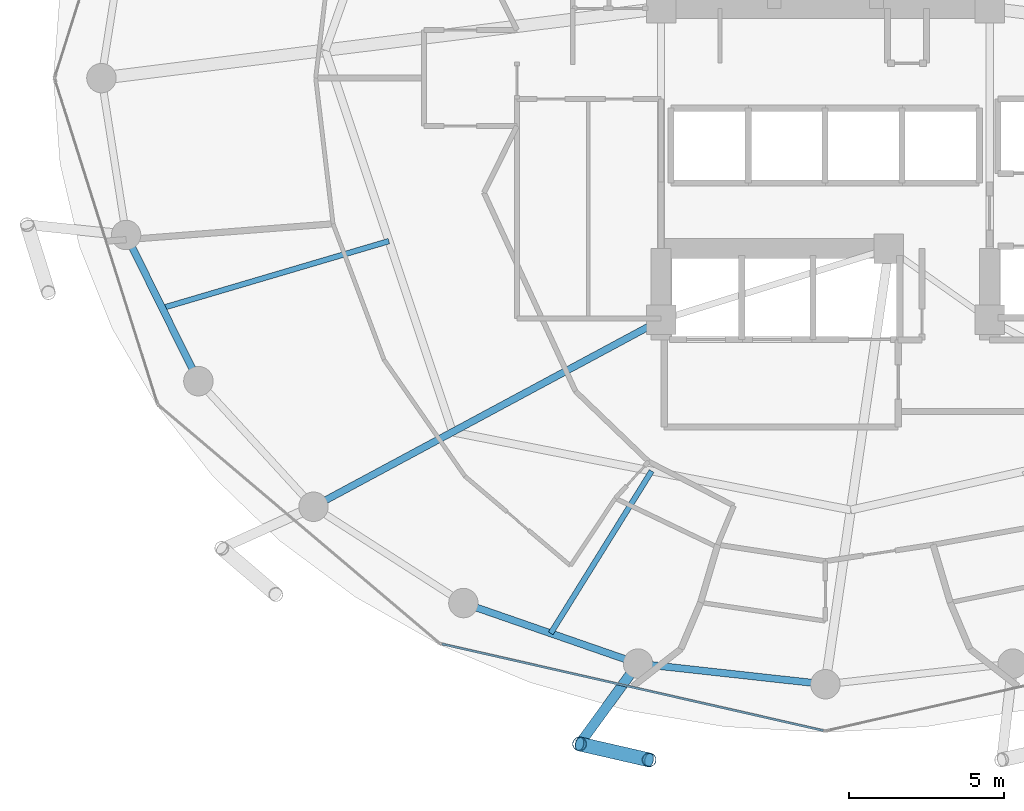
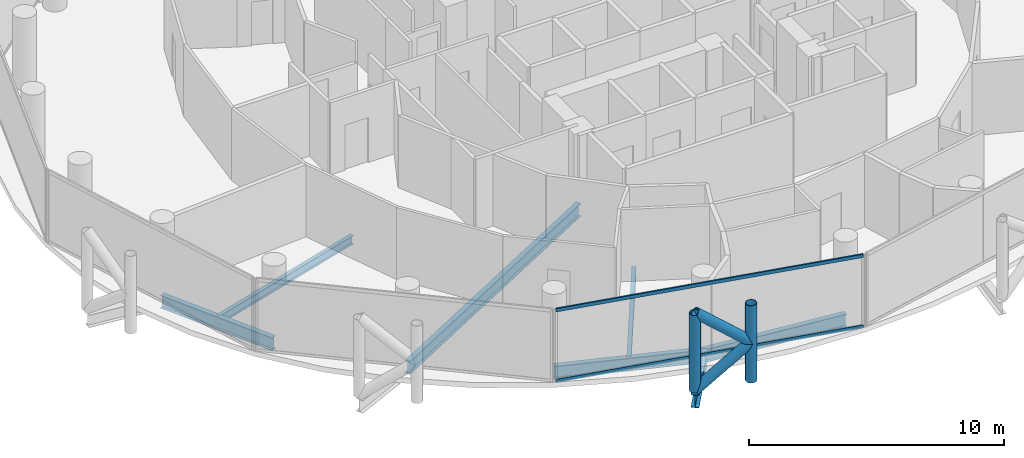
# One storey, part 3 of 26: 7 beams, 6 members, 1 element without a shape of its own.
"""IFC4 building model written with IfcOpenShell, lengths in metres."""

from ifc_helpers import new_model, si_unit, direction, frame, origin, origin_2d, place, context, subcontext, project, spatial, hollow_rectangle, hollow_circle, i_section, extrude, material, layer, layer_set, material_profile, profile_set, type_object, element, aggregate, save


model = new_model("IFC4")

# Units and contexts
model_context = context("Model", 3, precision=1e-05, world=origin(), true_north=direction((0.0, 1.0)))
body_context = subcontext(model_context, "Body", "Model", "MODEL_VIEW")
ifc_project = project(units=[si_unit("LENGTHUNIT", "METRE"), si_unit("AREAUNIT", "SQUARE_METRE"), si_unit("VOLUMEUNIT", "CUBIC_METRE"), si_unit("PLANEANGLEUNIT", "RADIAN"), si_unit("MASSUNIT", "GRAM", prefix="KILO")], contexts=[model_context])

# Site, building, storey
site_placement = place(None, origin())
site = spatial("IfcSite", under=ifc_project, at=site_placement, CompositionType="ELEMENT")
building_placement = place(site_placement, origin())
building = spatial("IfcBuilding", under=site, at=building_placement, Name="Nuhasar Tower", CompositionType="ELEMENT")
storey_placement = place(building_placement, frame((0.0, 0.0, 147.85009765625)))
storey = spatial("IfcBuildingStorey", under=building, at=storey_placement, Name="L35", CompositionType="ELEMENT", Elevation=147.85009765625)

# Beams
ifc_material_1 = material(Name="Steel S355", Category="steel")
ifc_material_profile_1 = material_profile(ifc_material_1, i_section(OverallWidth=0.177978515625, OverallDepth=0.406005859375, WebThickness=0.0078125, FlangeThickness=0.0126953125, at=origin_2d()), Name="W16X40")
ifc_profile_set_1 = profile_set([ifc_material_profile_1], Name="Steel S355")
beam_type_1 = type_object("IfcBeamType", Name="BM-JST-W16X40", PredefinedType="JOIST", material=ifc_profile_set_1)
beam_1_placement = place(storey_placement, frame((33.39697265625, 14.1279296875, -0.453125), z_axis=(-0.528139463011, -0.849157645912, 0.0), x_axis=(0.849157645912, -0.528139463011, 0.0)))
element("IfcBeam", 1, at=beam_1_placement, inside=storey, type_object=beam_type_1, Name="L35 Secondary Floor Joist 01", PredefinedType="JOIST", context=body_context, shape_type="SweptSolid", body=[
    extrude(i_section(OverallWidth=0.177978515625, OverallDepth=0.406005859375, WebThickness=0.0078125, FlangeThickness=0.0126953125, at=origin_2d()), origin(), (0.0, 0.0, 1.0), 6.164794921875),
])
beam_2_placement = place(storey_placement, frame((24.922119140625, 21.54296875, -0.453125), z_axis=(-0.959013356257, -0.283360869775, 0.0), x_axis=(0.283360869775, -0.959013356257, 0.0)))
element("IfcBeam", 2, at=beam_2_placement, inside=storey, type_object=beam_type_1, Name="L35 Secondary Floor Joist 08", PredefinedType="JOIST", context=body_context, shape_type="SweptSolid", body=[
    extrude(i_section(OverallWidth=0.177978515625, OverallDepth=0.406005859375, WebThickness=0.0078125, FlangeThickness=0.0126953125, at=origin_2d()), origin(), (0.0, 0.0, 1.0), 7.62255859375),
])
ifc_material_profile_2 = material_profile(ifc_material_1, i_section(OverallWidth=0.22900390625, OverallDepth=0.612060546875, WebThickness=0.011962890625, FlangeThickness=0.01953125, at=origin_2d()), Name="W24X84")
ifc_profile_set_2 = profile_set([ifc_material_profile_2], Name="Steel S355")
beam_type_2 = type_object("IfcBeamType", Name="BM-RAD-W24X84", PredefinedType="BEAM", material=ifc_profile_set_2)
beam_3_placement = place(storey_placement, frame((33.699951171875, 19.0, -0.55615234375), z_axis=(-0.880888386928, -0.473324043098, 0.0), x_axis=(0.473324043098, -0.880888386928, 0.0)))
element("IfcBeam", 3, at=beam_3_placement, inside=storey, type_object=beam_type_2, Name="L35 Radial Floor Girder 01", PredefinedType="BEAM", context=body_context, shape_type="SweptSolid", body=[
    extrude(i_section(OverallWidth=0.22900390625, OverallDepth=0.612060546875, WebThickness=0.011962890625, FlangeThickness=0.01953125, at=origin_2d()), origin(), (0.0, 0.0, 1.0), 12.726806640625),
])
ifc_material_profile_3 = material_profile(ifc_material_1, i_section(OverallWidth=0.22998046875, OverallDepth=0.616943359375, WebThickness=0.01318359375, FlangeThickness=0.022216796875, at=origin_2d()), Name="W24X94")
ifc_profile_set_3 = profile_set([ifc_material_profile_3], Name="Steel S355")
beam_type_3 = type_object("IfcBeamType", Name="BM-RING-W24X94", PredefinedType="SPANDREL", material=ifc_profile_set_3)
beam_4_placement = place(storey_placement, frame((16.446044921875, 21.739990234375, -0.55908203125), z_axis=(0.443329327657, -0.896358804966, 0.0), x_axis=(0.896358804966, 0.443329327657, 0.0)))
element("IfcBeam", 4, at=beam_4_placement, inside=storey, type_object=beam_type_3, Name="L35 Perimeter Ring Spandrel 14", PredefinedType="SPANDREL", context=body_context, shape_type="SweptSolid", body=[
    extrude(i_section(OverallWidth=0.22998046875, OverallDepth=0.616943359375, WebThickness=0.01318359375, FlangeThickness=0.022216796875, at=origin_2d()), origin(), (0.0, 0.0, 1.0), 5.26025390625),
])
beam_5_placement = place(storey_placement, frame((27.324951171875, 9.868896484375, -0.55908203125), z_axis=(0.944814057608, -0.327607076458, 0.0), x_axis=(0.327607076458, 0.944814057608, 0.0)))
element("IfcBeam", 5, at=beam_5_placement, inside=storey, type_object=beam_type_3, Name="L35 Perimeter Ring Spandrel 17", PredefinedType="SPANDREL", context=body_context, shape_type="SweptSolid", body=[
    extrude(i_section(OverallWidth=0.22998046875, OverallDepth=0.616943359375, WebThickness=0.01318359375, FlangeThickness=0.022216796875, at=origin_2d()), origin(), (0.0, 0.0, 1.0), 5.9609375),
])
beam_6_placement = place(storey_placement, frame((32.95703125, 7.916015625, -0.55908203125), z_axis=(0.993981289157, -0.109549974015, 0.0), x_axis=(0.109549974015, 0.993981289157, 0.0)))
element("IfcBeam", 6, at=beam_6_placement, inside=storey, type_object=beam_type_3, Name="L35 Perimeter Ring Spandrel 18", PredefinedType="SPANDREL", context=body_context, shape_type="SweptSolid", body=[
    extrude(i_section(OverallWidth=0.22998046875, OverallDepth=0.616943359375, WebThickness=0.01318359375, FlangeThickness=0.022216796875, at=origin_2d()), origin(), (0.0, 0.0, 1.0), 6.07958984375),
])
ifc_material_profile_4 = material_profile(ifc_material_1, i_section(OverallWidth=0.323974609375, OverallDepth=0.611083984375, WebThickness=0.0126953125, FlangeThickness=0.01904296875, at=origin_2d()), Name="W24X104")
ifc_profile_set_4 = profile_set([ifc_material_profile_4], Name="Steel S355")
beam_type_4 = type_object("IfcBeamType", Name="BM-TIE-W24X104", PredefinedType="BEAM", material=ifc_profile_set_4)
beam_7_placement = place(storey_placement, frame((32.95703125, 7.916015625, -0.55615234375), z_axis=(-0.588149050751, -0.808752554309, 0.0), x_axis=(0.808752554309, -0.588149050751, 0.0)))
element("IfcBeam", 7, at=beam_7_placement, inside=storey, type_object=beam_type_4, Name="L35 Exoskeleton Node Tie Beam 09", PredefinedType="BEAM", context=body_context, shape_type="SweptSolid", body=[
    extrude(i_section(OverallWidth=0.323974609375, OverallDepth=0.611083984375, WebThickness=0.0126953125, FlangeThickness=0.01904296875, at=origin_2d()), origin(), (0.0, 0.0, 1.0), 3.205078125),
])

# Curtain wall, members
ifc_material_2 = material(Name="Aluminium 6063-T6", Category="aluminium")
ifc_layer = layer(ifc_material_2, 0.199951171875)
ifc_layer_set = layer_set([ifc_layer], Name="Aluminium 6063-T6")
curtain_wall_type = type_object("IfcCurtainWallType", Name="CW-Z2-HTL", PredefinedType="NOTDEFINED", material=ifc_layer_set)
curtain_wall_placement = place(storey_placement, origin())
curtain_wall = element("IfcCurtainWall", 8, at=curtain_wall_placement, inside=storey, type_object=curtain_wall_type, Name="L35 Unitised Curtain Wall 09", PredefinedType="NOTDEFINED")
ifc_material_profile_5 = material_profile(ifc_material_2, hollow_rectangle(XDim=0.070068359375, YDim=0.159912109375, WallThickness=0.00439453125, at=origin_2d()), Name="CWT-3")
ifc_profile_set_5 = profile_set([ifc_material_profile_5], Name="Aluminium 6063-T6")
member_type_1 = type_object("IfcMemberType", Name="CW-TRN-S3", PredefinedType="USERDEFINED", material=ifc_profile_set_5)
member_1_placement = place(storey_placement, frame((26.63818359375, 8.54638671875, 0.034912109375), z_axis=(0.975187615691, -0.221380022142, 0.0), x_axis=(0.221380022142, 0.975187615691, 0.0)))
member_1 = element("IfcMember", 9, at=member_1_placement, type_object=member_type_1, Name="CW-Z2 transom 1.1", ObjectType="TRANSOM", PredefinedType="USERDEFINED", context=body_context, shape_type="SweptSolid", body=[
    extrude(hollow_rectangle(XDim=0.070068359375, YDim=0.159912109375, WallThickness=0.00439453125, at=origin_2d()), origin(), (0.0, 0.0, 1.0), 12.606201171875),
])
member_2_placement = place(storey_placement, frame((26.63818359375, 8.54638671875, 3.414794921875), z_axis=(0.975187615691, -0.221380022142, 0.0), x_axis=(0.221380022142, 0.975187615691, 0.0)))
member_2 = element("IfcMember", 10, at=member_2_placement, type_object=member_type_1, Name="CW-Z2 transom 1.2", ObjectType="TRANSOM", PredefinedType="USERDEFINED", context=body_context, shape_type="SweptSolid", body=[
    extrude(hollow_rectangle(XDim=0.070068359375, YDim=0.159912109375, WallThickness=0.00439453125, at=origin_2d()), origin(), (0.0, 0.0, 1.0), 12.606201171875),
])
aggregate(curtain_wall, [member_1, member_2])

# Members
ifc_material_3 = material(Name="Steel S460", Category="steel")
ifc_material_profile_6 = material_profile(ifc_material_3, hollow_circle(Radius=0.228515625, WallThickness=0.022216796875, at=origin_2d()), Name="HSS457X22.2")
ifc_profile_set_6 = profile_set([ifc_material_profile_6], Name="Steel S460")
member_type_2 = type_object("IfcMemberType", Name="EXO-BRONZE-457", PredefinedType="BRACE", material=ifc_profile_set_6)
for number, where, z_axis, x_axis, name in (
    (11, (31.072021484375, 5.323974609375, 0.0), (0.0, 0.0, 1.0), (1.0, 0.0, 0.0), "L35 Exoskeleton Chord Column EC-09A"),
    (12, (33.31396484375, 4.81005859375, 0.0), (0.0, 0.0, 1.0), (1.0, 0.0, 0.0), "L35 Exoskeleton Chord Column EC-09B"),
):
    element("IfcMember", number, at=place(storey_placement, frame(where, z_axis=z_axis, x_axis=x_axis)), inside=storey, type_object=member_type_2, Name=name, PredefinedType="BRACE", context=body_context, shape_type="SweptSolid", body=[
        extrude(hollow_circle(Radius=0.228515625, WallThickness=0.022216796875, at=origin_2d()), origin(), (0.0, 0.0, 1.0), 3.699951171875),
    ])
member_3_placement = place(storey_placement, frame((31.072021484375, 5.323974609375, 0.0), z_axis=(0.759549860492, -0.174110035537, 0.626713415327), x_axis=(0.223432882746, 0.974719316987, 0.0)))
element("IfcMember", 13, at=member_3_placement, inside=storey, type_object=member_type_2, Name="L35 Bronze Diagrid Brace W1-09", PredefinedType="BRACE", context=body_context, shape_type="SweptSolid", body=[
    extrude(hollow_circle(Radius=0.228515625, WallThickness=0.022216796875, at=origin_2d()), origin(), (0.0, 0.0, 1.0), 2.95166015625),
])
member_4_placement = place(storey_placement, frame((33.31396484375, 4.81005859375, 1.849853515625), z_axis=(-0.759510488094, 0.174101010284, 0.626763637022), x_axis=(-0.223432882746, -0.974719316987, 0.0)))
element("IfcMember", 14, at=member_4_placement, inside=storey, type_object=member_type_2, Name="L35 Bronze Diagrid Brace W2-09", PredefinedType="BRACE", context=body_context, shape_type="SweptSolid", body=[
    extrude(hollow_circle(Radius=0.228515625, WallThickness=0.022216796875, at=origin_2d()), origin(), (0.0, 0.0, 1.0), 2.951904296875),
])

save(model, "model.ifc")
